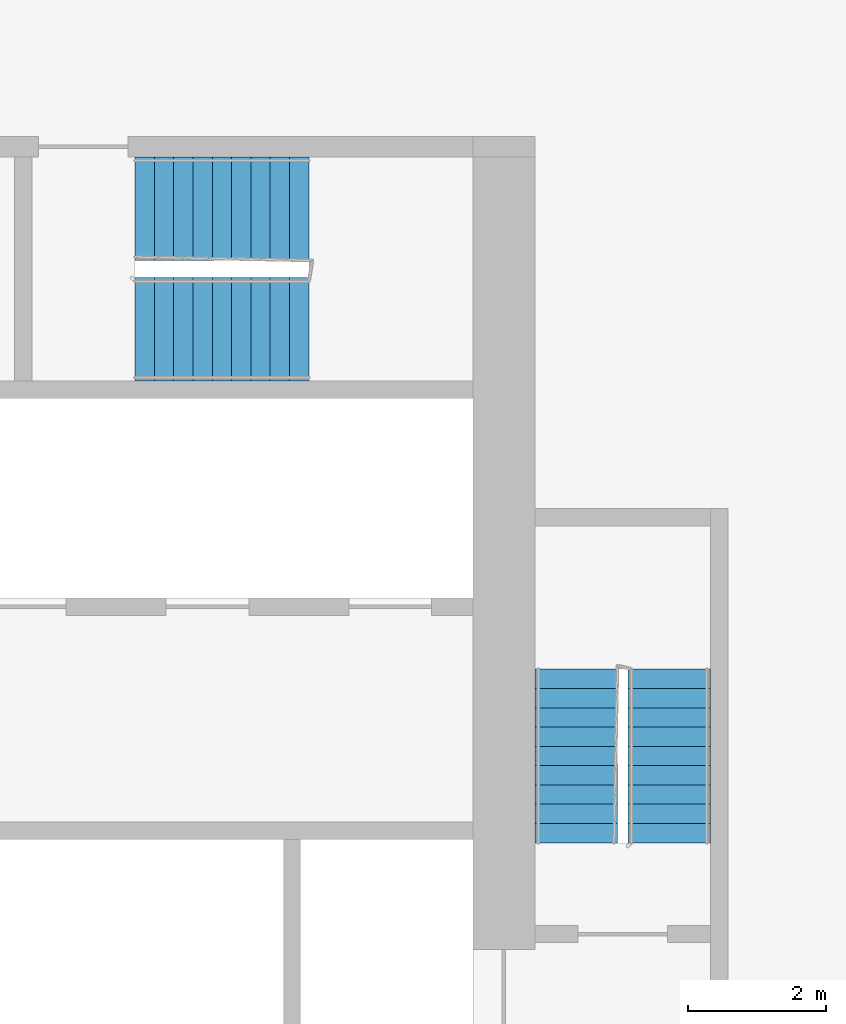
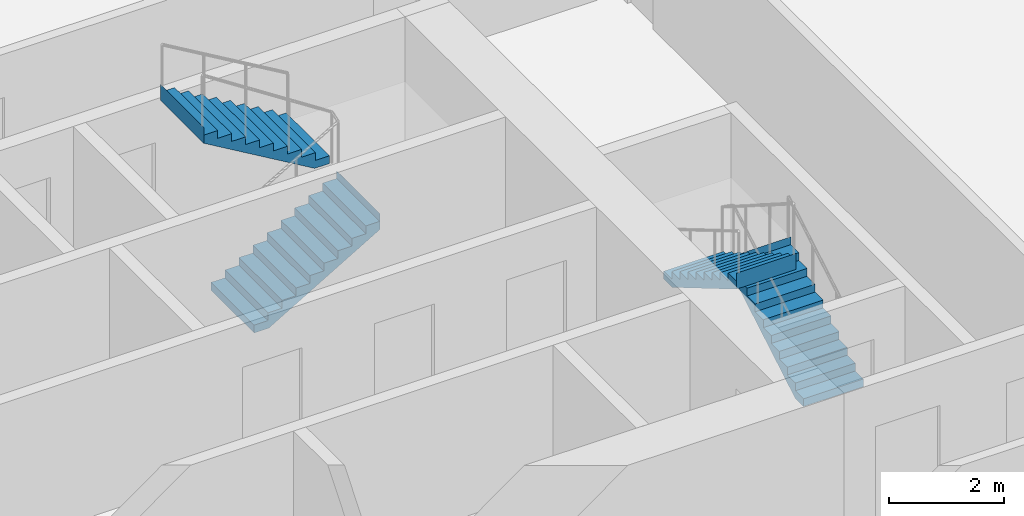
# One storey, part 11 of 12: 4 stair flights, 2 elements without a shape of their own.
"""IFC4 building model written with IfcOpenShell, lengths in metres."""

from ifc_helpers import new_model, si_unit, direction, frame, origin, place, context, subcontext, project, spatial, faceted_brep, material, type_object, element, aggregate, save


model = new_model("IFC4")

# Units and contexts
model_context = context("Model", 3, precision=1e-05, world=origin(), true_north=direction((0.0, 1.0)))
body_context = subcontext(model_context, "Body", "Model", "MODEL_VIEW")
ifc_project = project(units=[si_unit("LENGTHUNIT", "METRE"), si_unit("AREAUNIT", "SQUARE_METRE"), si_unit("VOLUMEUNIT", "CUBIC_METRE"), si_unit("PLANEANGLEUNIT", "RADIAN"), si_unit("MASSUNIT", "GRAM", prefix="KILO")], contexts=[model_context])

# Site, building, storey
site_placement = place(None, origin())
site = spatial("IfcSite", under=ifc_project, at=site_placement, CompositionType="ELEMENT")
building_placement = place(site_placement, origin())
building = spatial("IfcBuilding", under=site, at=building_placement, Name="Kajstack Hotel Tower", CompositionType="ELEMENT")
storey_placement = place(building_placement, frame((0.0, 0.0, 114.10009765625)))
storey = spatial("IfcBuildingStorey", under=building, at=storey_placement, Name="L24", CompositionType="ELEMENT", Elevation=114.10009765625)

# Stair, stair flights
ifc_material = material(Name="Concrete C40/50", Category="concrete")
stair_type_1 = type_object("IfcStairType", Name="Exit stair 1200", PredefinedType="HALF_TURN_STAIR", material=ifc_material)
stair_1_placement = place(storey_placement, origin())
stair_1 = element("IfcStair", 1, at=stair_1_placement, inside=storey, type_object=stair_type_1, Name="L24 stair E1", PredefinedType="HALF_TURN_STAIR")
stair_flight_type_1 = type_object("IfcStairFlightType", Name="Exit stair flight 1200", PredefinedType="STRAIGHT", material=ifc_material)
stair_flight_1_placement = place(storey_placement, frame((33.449951171875, 5.25, 0.0), z_axis=(0.0, 0.0, 1.0), x_axis=(0.0, 1.0, 0.0)))
stair_flight_1 = element("IfcStairFlight", 2, at=stair_flight_1_placement, type_object=stair_flight_type_1, Name="E1 flight 1", NumberOfRisers=10, NumberOfTreads=9, PredefinedType="STRAIGHT", RiserHeight=0.165, TreadLength=0.28, context=body_context, shape_type="Brep", body=[
    faceted_brep([(0.295654296875, -0.60009765625, 0.0), (2.5205078125, -0.60009765625, 1.31103515625), (2.5205078125, -0.60009765625, 1.64990234375), (2.52001953125, -0.60009765625, 1.64990234375), (2.52001953125, -0.60009765625, 1.485107421875), (2.239990234375, -0.60009765625, 1.485107421875), (2.239990234375, -0.60009765625, 1.320068359375), (1.9599609375, -0.60009765625, 1.320068359375), (1.9599609375, -0.60009765625, 1.155029296875), (1.679931640625, -0.60009765625, 1.155029296875), (1.679931640625, -0.60009765625, 0.989990234375), (1.39990234375, -0.60009765625, 0.989990234375), (1.39990234375, -0.60009765625, 0.824951171875), (1.1201171875, -0.60009765625, 0.824951171875), (1.1201171875, -0.60009765625, 0.659912109375), (0.840087890625, -0.60009765625, 0.659912109375), (0.840087890625, -0.60009765625, 0.4951171875), (0.56005859375, -0.60009765625, 0.4951171875), (0.56005859375, -0.60009765625, 0.330078125), (0.280029296875, -0.60009765625, 0.330078125), (0.280029296875, -0.60009765625, 0.1650390625), (-0.00048828125, -0.60009765625, 0.1650390625), (-0.00048828125, -0.60009765625, 0.0), (-0.00048828125, 0.60009765625, 0.0), (-0.00048828125, 0.60009765625, 0.1650390625), (0.280029296875, 0.60009765625, 0.1650390625), (0.280029296875, 0.60009765625, 0.330078125), (0.56005859375, 0.60009765625, 0.330078125), (0.56005859375, 0.60009765625, 0.4951171875), (0.840087890625, 0.60009765625, 0.4951171875), (0.840087890625, 0.60009765625, 0.659912109375), (1.1201171875, 0.60009765625, 0.659912109375), (1.1201171875, 0.60009765625, 0.824951171875), (1.39990234375, 0.60009765625, 0.824951171875), (1.39990234375, 0.60009765625, 0.989990234375), (1.679931640625, 0.60009765625, 0.989990234375), (1.679931640625, 0.60009765625, 1.155029296875), (1.9599609375, 0.60009765625, 1.155029296875), (1.9599609375, 0.60009765625, 1.320068359375), (2.239990234375, 0.60009765625, 1.320068359375), (2.239990234375, 0.60009765625, 1.485107421875), (2.52001953125, 0.60009765625, 1.485107421875), (2.52001953125, 0.60009765625, 1.64990234375), (2.5205078125, 0.60009765625, 1.64990234375), (2.5205078125, 0.60009765625, 1.31103515625), (0.295654296875, 0.60009765625, 0.0), (-0.00048828125, -0.300048828125, 0.1650390625), (-0.00048828125, 0.0, 0.1650390625), (-0.00048828125, 0.300048828125, 0.1650390625), (-0.00048828125, 0.300048828125, 0.0), (-0.00048828125, 0.0, 0.0), (-0.00048828125, -0.300048828125, 0.0), (0.280029296875, -0.300048828125, 0.1650390625), (0.280029296875, 0.0, 0.1650390625), (0.280029296875, 0.300048828125, 0.1650390625), (0.280029296875, -0.300048828125, 0.330078125), (0.280029296875, 0.0, 0.330078125), (0.280029296875, 0.300048828125, 0.330078125), (0.56005859375, -0.300048828125, 0.330078125), (0.56005859375, 0.0, 0.330078125), (0.56005859375, 0.300048828125, 0.330078125), (0.56005859375, -0.300048828125, 0.4951171875), (0.56005859375, 0.0, 0.4951171875), (0.56005859375, 0.300048828125, 0.4951171875), (0.840087890625, -0.300048828125, 0.4951171875), (0.840087890625, 0.0, 0.4951171875), (0.840087890625, 0.300048828125, 0.4951171875), (0.840087890625, -0.300048828125, 0.659912109375), (0.840087890625, 0.0, 0.659912109375), (0.840087890625, 0.300048828125, 0.659912109375), (1.1201171875, -0.300048828125, 0.659912109375), (1.1201171875, 0.0, 0.659912109375), (1.1201171875, 0.300048828125, 0.659912109375), (1.1201171875, -0.300048828125, 0.824951171875), (1.1201171875, 0.0, 0.824951171875), (1.1201171875, 0.300048828125, 0.824951171875), (1.39990234375, -0.300048828125, 0.824951171875), (1.39990234375, 0.0, 0.824951171875), (1.39990234375, 0.300048828125, 0.824951171875), (1.39990234375, -0.300048828125, 0.989990234375), (1.39990234375, 0.0, 0.989990234375), (1.39990234375, 0.300048828125, 0.989990234375), (1.679931640625, -0.300048828125, 0.989990234375), (1.679931640625, 0.0, 0.989990234375), (1.679931640625, 0.300048828125, 0.989990234375), (1.679931640625, -0.300048828125, 1.155029296875), (1.679931640625, 0.0, 1.155029296875), (1.679931640625, 0.300048828125, 1.155029296875), (1.9599609375, -0.300048828125, 1.155029296875), (1.9599609375, 0.0, 1.155029296875), (1.9599609375, 0.300048828125, 1.155029296875), (1.9599609375, -0.300048828125, 1.320068359375), (1.9599609375, 0.0, 1.320068359375), (1.9599609375, 0.300048828125, 1.320068359375), (2.239990234375, -0.300048828125, 1.320068359375), (2.239990234375, 0.0, 1.320068359375), (2.239990234375, 0.300048828125, 1.320068359375), (2.239990234375, -0.300048828125, 1.485107421875), (2.239990234375, 0.0, 1.485107421875), (2.239990234375, 0.300048828125, 1.485107421875), (2.52001953125, -0.300048828125, 1.485107421875), (2.52001953125, 0.0, 1.485107421875), (2.52001953125, 0.300048828125, 1.485107421875), (2.52001953125, -0.300048828125, 1.64990234375), (2.52001953125, 0.0, 1.64990234375), (2.52001953125, 0.300048828125, 1.64990234375), (2.5205078125, -0.300048828125, 1.64990234375), (2.5205078125, 0.0, 1.64990234375), (2.5205078125, 0.300048828125, 1.64990234375), (2.5205078125, -0.300048828125, 1.31103515625), (2.5205078125, 0.0, 1.31103515625), (2.5205078125, 0.300048828125, 1.31103515625), (0.295654296875, -0.300048828125, 0.0), (0.295654296875, 0.0, 0.0), (0.295654296875, 0.300048828125, 0.0)], [[[0, 1, 2, 3, 4, 5, 6, 7, 8, 9, 10, 11, 12, 13, 14, 15, 16, 17, 18, 19, 20, 21, 22]], [[23, 24, 25, 26, 27, 28, 29, 30, 31, 32, 33, 34, 35, 36, 37, 38, 39, 40, 41, 42, 43, 44, 45]], [[21, 46, 47, 48, 24, 23, 49, 50, 51, 22]], [[20, 52, 53, 54, 25, 24, 48, 47, 46, 21]], [[19, 55, 56, 57, 26, 25, 54, 53, 52, 20]], [[18, 58, 59, 60, 27, 26, 57, 56, 55, 19]], [[17, 61, 62, 63, 28, 27, 60, 59, 58, 18]], [[16, 64, 65, 66, 29, 28, 63, 62, 61, 17]], [[15, 67, 68, 69, 30, 29, 66, 65, 64, 16]], [[14, 70, 71, 72, 31, 30, 69, 68, 67, 15]], [[13, 73, 74, 75, 32, 31, 72, 71, 70, 14]], [[12, 76, 77, 78, 33, 32, 75, 74, 73, 13]], [[11, 79, 80, 81, 34, 33, 78, 77, 76, 12]], [[10, 82, 83, 84, 35, 34, 81, 80, 79, 11]], [[9, 85, 86, 87, 36, 35, 84, 83, 82, 10]], [[8, 88, 89, 90, 37, 36, 87, 86, 85, 9]], [[7, 91, 92, 93, 38, 37, 90, 89, 88, 8]], [[6, 94, 95, 96, 39, 38, 93, 92, 91, 7]], [[5, 97, 98, 99, 40, 39, 96, 95, 94, 6]], [[4, 100, 101, 102, 41, 40, 99, 98, 97, 5]], [[3, 103, 104, 105, 42, 41, 102, 101, 100, 4]], [[2, 106, 107, 108, 43, 42, 105, 104, 103, 3]], [[1, 109, 110, 111, 44, 43, 108, 107, 106, 2]], [[0, 112, 113, 114, 45, 44, 111, 110, 109, 1]], [[22, 51, 50, 49, 23, 45, 114, 113, 112, 0]]]),
])
stair_flight_2_placement = place(storey_placement, frame((32.10009765625, 7.77001953125, 1.64990234375), z_axis=(0.0, 0.0, 1.0), x_axis=(0.0, -1.0, 0.0)))
stair_flight_2 = element("IfcStairFlight", 3, at=stair_flight_2_placement, type_object=stair_flight_type_1, Name="E1 flight 2", NumberOfRisers=10, NumberOfTreads=9, PredefinedType="STRAIGHT", RiserHeight=0.165, TreadLength=0.28, context=body_context, shape_type="Brep", body=[
    faceted_brep([(0.295654296875, -0.60009765625, 0.0), (2.5205078125, -0.60009765625, 1.31103515625), (2.5205078125, -0.60009765625, 1.64990234375), (2.52001953125, -0.60009765625, 1.64990234375), (2.52001953125, -0.60009765625, 1.485107421875), (2.239990234375, -0.60009765625, 1.485107421875), (2.239990234375, -0.60009765625, 1.320068359375), (1.9599609375, -0.60009765625, 1.320068359375), (1.9599609375, -0.60009765625, 1.155029296875), (1.679931640625, -0.60009765625, 1.155029296875), (1.679931640625, -0.60009765625, 0.989990234375), (1.39990234375, -0.60009765625, 0.989990234375), (1.39990234375, -0.60009765625, 0.824951171875), (1.1201171875, -0.60009765625, 0.824951171875), (1.1201171875, -0.60009765625, 0.659912109375), (0.840087890625, -0.60009765625, 0.659912109375), (0.840087890625, -0.60009765625, 0.4951171875), (0.56005859375, -0.60009765625, 0.4951171875), (0.56005859375, -0.60009765625, 0.330078125), (0.280029296875, -0.60009765625, 0.330078125), (0.280029296875, -0.60009765625, 0.1650390625), (-0.00048828125, -0.60009765625, 0.1650390625), (-0.00048828125, -0.60009765625, 0.0), (-0.00048828125, 0.60009765625, 0.0), (-0.00048828125, 0.60009765625, 0.1650390625), (0.280029296875, 0.60009765625, 0.1650390625), (0.280029296875, 0.60009765625, 0.330078125), (0.56005859375, 0.60009765625, 0.330078125), (0.56005859375, 0.60009765625, 0.4951171875), (0.840087890625, 0.60009765625, 0.4951171875), (0.840087890625, 0.60009765625, 0.659912109375), (1.1201171875, 0.60009765625, 0.659912109375), (1.1201171875, 0.60009765625, 0.824951171875), (1.39990234375, 0.60009765625, 0.824951171875), (1.39990234375, 0.60009765625, 0.989990234375), (1.679931640625, 0.60009765625, 0.989990234375), (1.679931640625, 0.60009765625, 1.155029296875), (1.9599609375, 0.60009765625, 1.155029296875), (1.9599609375, 0.60009765625, 1.320068359375), (2.239990234375, 0.60009765625, 1.320068359375), (2.239990234375, 0.60009765625, 1.485107421875), (2.52001953125, 0.60009765625, 1.485107421875), (2.52001953125, 0.60009765625, 1.64990234375), (2.5205078125, 0.60009765625, 1.64990234375), (2.5205078125, 0.60009765625, 1.31103515625), (0.295654296875, 0.60009765625, 0.0), (-0.00048828125, -0.300048828125, 0.1650390625), (-0.00048828125, 0.0, 0.1650390625), (-0.00048828125, 0.300048828125, 0.1650390625), (-0.00048828125, 0.300048828125, 0.0), (-0.00048828125, 0.0, 0.0), (-0.00048828125, -0.300048828125, 0.0), (0.280029296875, -0.300048828125, 0.1650390625), (0.280029296875, 0.0, 0.1650390625), (0.280029296875, 0.300048828125, 0.1650390625), (0.280029296875, -0.300048828125, 0.330078125), (0.280029296875, 0.0, 0.330078125), (0.280029296875, 0.300048828125, 0.330078125), (0.56005859375, -0.300048828125, 0.330078125), (0.56005859375, 0.0, 0.330078125), (0.56005859375, 0.300048828125, 0.330078125), (0.56005859375, -0.300048828125, 0.4951171875), (0.56005859375, 0.0, 0.4951171875), (0.56005859375, 0.300048828125, 0.4951171875), (0.840087890625, -0.300048828125, 0.4951171875), (0.840087890625, 0.0, 0.4951171875), (0.840087890625, 0.300048828125, 0.4951171875), (0.840087890625, -0.300048828125, 0.659912109375), (0.840087890625, 0.0, 0.659912109375), (0.840087890625, 0.300048828125, 0.659912109375), (1.1201171875, -0.300048828125, 0.659912109375), (1.1201171875, 0.0, 0.659912109375), (1.1201171875, 0.300048828125, 0.659912109375), (1.1201171875, -0.300048828125, 0.824951171875), (1.1201171875, 0.0, 0.824951171875), (1.1201171875, 0.300048828125, 0.824951171875), (1.39990234375, -0.300048828125, 0.824951171875), (1.39990234375, 0.0, 0.824951171875), (1.39990234375, 0.300048828125, 0.824951171875), (1.39990234375, -0.300048828125, 0.989990234375), (1.39990234375, 0.0, 0.989990234375), (1.39990234375, 0.300048828125, 0.989990234375), (1.679931640625, -0.300048828125, 0.989990234375), (1.679931640625, 0.0, 0.989990234375), (1.679931640625, 0.300048828125, 0.989990234375), (1.679931640625, -0.300048828125, 1.155029296875), (1.679931640625, 0.0, 1.155029296875), (1.679931640625, 0.300048828125, 1.155029296875), (1.9599609375, -0.300048828125, 1.155029296875), (1.9599609375, 0.0, 1.155029296875), (1.9599609375, 0.300048828125, 1.155029296875), (1.9599609375, -0.300048828125, 1.320068359375), (1.9599609375, 0.0, 1.320068359375), (1.9599609375, 0.300048828125, 1.320068359375), (2.239990234375, -0.300048828125, 1.320068359375), (2.239990234375, 0.0, 1.320068359375), (2.239990234375, 0.300048828125, 1.320068359375), (2.239990234375, -0.300048828125, 1.485107421875), (2.239990234375, 0.0, 1.485107421875), (2.239990234375, 0.300048828125, 1.485107421875), (2.52001953125, -0.300048828125, 1.485107421875), (2.52001953125, 0.0, 1.485107421875), (2.52001953125, 0.300048828125, 1.485107421875), (2.52001953125, -0.300048828125, 1.64990234375), (2.52001953125, 0.0, 1.64990234375), (2.52001953125, 0.300048828125, 1.64990234375), (2.5205078125, -0.300048828125, 1.64990234375), (2.5205078125, 0.0, 1.64990234375), (2.5205078125, 0.300048828125, 1.64990234375), (2.5205078125, -0.300048828125, 1.31103515625), (2.5205078125, 0.0, 1.31103515625), (2.5205078125, 0.300048828125, 1.31103515625), (0.295654296875, -0.300048828125, 0.0), (0.295654296875, 0.0, 0.0), (0.295654296875, 0.300048828125, 0.0)], [[[0, 1, 2, 3, 4, 5, 6, 7, 8, 9, 10, 11, 12, 13, 14, 15, 16, 17, 18, 19, 20, 21, 22]], [[23, 24, 25, 26, 27, 28, 29, 30, 31, 32, 33, 34, 35, 36, 37, 38, 39, 40, 41, 42, 43, 44, 45]], [[21, 46, 47, 48, 24, 23, 49, 50, 51, 22]], [[20, 52, 53, 54, 25, 24, 48, 47, 46, 21]], [[19, 55, 56, 57, 26, 25, 54, 53, 52, 20]], [[18, 58, 59, 60, 27, 26, 57, 56, 55, 19]], [[17, 61, 62, 63, 28, 27, 60, 59, 58, 18]], [[16, 64, 65, 66, 29, 28, 63, 62, 61, 17]], [[15, 67, 68, 69, 30, 29, 66, 65, 64, 16]], [[14, 70, 71, 72, 31, 30, 69, 68, 67, 15]], [[13, 73, 74, 75, 32, 31, 72, 71, 70, 14]], [[12, 76, 77, 78, 33, 32, 75, 74, 73, 13]], [[11, 79, 80, 81, 34, 33, 78, 77, 76, 12]], [[10, 82, 83, 84, 35, 34, 81, 80, 79, 11]], [[9, 85, 86, 87, 36, 35, 84, 83, 82, 10]], [[8, 88, 89, 90, 37, 36, 87, 86, 85, 9]], [[7, 91, 92, 93, 38, 37, 90, 89, 88, 8]], [[6, 94, 95, 96, 39, 38, 93, 92, 91, 7]], [[5, 97, 98, 99, 40, 39, 96, 95, 94, 6]], [[4, 100, 101, 102, 41, 40, 99, 98, 97, 5]], [[3, 103, 104, 105, 42, 41, 102, 101, 100, 4]], [[2, 106, 107, 108, 43, 42, 105, 104, 103, 3]], [[1, 109, 110, 111, 44, 43, 108, 107, 106, 2]], [[0, 112, 113, 114, 45, 44, 111, 110, 109, 1]], [[22, 51, 50, 49, 23, 45, 114, 113, 112, 0]]]),
])
aggregate(stair_1, [stair_flight_1, stair_flight_2])

stair_type_2 = type_object("IfcStairType", Name="Exit stair 1500", PredefinedType="HALF_TURN_STAIR", material=ifc_material)
stair_2_placement = place(storey_placement, origin())
stair_2 = element("IfcStair", 4, at=stair_2_placement, inside=storey, type_object=stair_type_2, Name="L24 stair E3", PredefinedType="HALF_TURN_STAIR")
stair_flight_type_2 = type_object("IfcStairFlightType", Name="Exit stair flight 1500", PredefinedType="STRAIGHT", material=ifc_material)
stair_flight_3_placement = place(storey_placement, frame((25.699951171875, 12.699951171875, 0.0), z_axis=(0.0, 0.0, 1.0), x_axis=(1.0, 0.0, 0.0)))
stair_flight_3 = element("IfcStairFlight", 5, at=stair_flight_3_placement, type_object=stair_flight_type_2, Name="E3 flight 1", NumberOfRisers=10, NumberOfTreads=9, PredefinedType="STRAIGHT", RiserHeight=0.165, TreadLength=0.28, context=body_context, shape_type="Brep", body=[
    faceted_brep([(0.295654296875, -0.75, 0.0), (2.5205078125, -0.75, 1.31103515625), (2.5205078125, -0.75, 1.64990234375), (2.52001953125, -0.75, 1.64990234375), (2.52001953125, -0.75, 1.485107421875), (2.239990234375, -0.75, 1.485107421875), (2.239990234375, -0.75, 1.320068359375), (1.9599609375, -0.75, 1.320068359375), (1.9599609375, -0.75, 1.155029296875), (1.679931640625, -0.75, 1.155029296875), (1.679931640625, -0.75, 0.989990234375), (1.39990234375, -0.75, 0.989990234375), (1.39990234375, -0.75, 0.824951171875), (1.1201171875, -0.75, 0.824951171875), (1.1201171875, -0.75, 0.659912109375), (0.840087890625, -0.75, 0.659912109375), (0.840087890625, -0.75, 0.4951171875), (0.56005859375, -0.75, 0.4951171875), (0.56005859375, -0.75, 0.330078125), (0.280029296875, -0.75, 0.330078125), (0.280029296875, -0.75, 0.1650390625), (-0.00048828125, -0.75, 0.1650390625), (-0.00048828125, -0.75, 0.0), (-0.00048828125, 0.75, 0.0), (-0.00048828125, 0.75, 0.1650390625), (0.280029296875, 0.75, 0.1650390625), (0.280029296875, 0.75, 0.330078125), (0.56005859375, 0.75, 0.330078125), (0.56005859375, 0.75, 0.4951171875), (0.840087890625, 0.75, 0.4951171875), (0.840087890625, 0.75, 0.659912109375), (1.1201171875, 0.75, 0.659912109375), (1.1201171875, 0.75, 0.824951171875), (1.39990234375, 0.75, 0.824951171875), (1.39990234375, 0.75, 0.989990234375), (1.679931640625, 0.75, 0.989990234375), (1.679931640625, 0.75, 1.155029296875), (1.9599609375, 0.75, 1.155029296875), (1.9599609375, 0.75, 1.320068359375), (2.239990234375, 0.75, 1.320068359375), (2.239990234375, 0.75, 1.485107421875), (2.52001953125, 0.75, 1.485107421875), (2.52001953125, 0.75, 1.64990234375), (2.5205078125, 0.75, 1.64990234375), (2.5205078125, 0.75, 1.31103515625), (0.295654296875, 0.75, 0.0), (-0.00048828125, -0.375, 0.1650390625), (-0.00048828125, 0.0, 0.1650390625), (-0.00048828125, 0.375, 0.1650390625), (-0.00048828125, 0.375, 0.0), (-0.00048828125, 0.0, 0.0), (-0.00048828125, -0.375, 0.0), (0.280029296875, -0.375, 0.1650390625), (0.280029296875, 0.0, 0.1650390625), (0.280029296875, 0.375, 0.1650390625), (0.280029296875, -0.375, 0.330078125), (0.280029296875, 0.0, 0.330078125), (0.280029296875, 0.375, 0.330078125), (0.56005859375, -0.375, 0.330078125), (0.56005859375, 0.0, 0.330078125), (0.56005859375, 0.375, 0.330078125), (0.56005859375, -0.375, 0.4951171875), (0.56005859375, 0.0, 0.4951171875), (0.56005859375, 0.375, 0.4951171875), (0.840087890625, -0.375, 0.4951171875), (0.840087890625, 0.0, 0.4951171875), (0.840087890625, 0.375, 0.4951171875), (0.840087890625, -0.375, 0.659912109375), (0.840087890625, 0.0, 0.659912109375), (0.840087890625, 0.375, 0.659912109375), (1.1201171875, -0.375, 0.659912109375), (1.1201171875, 0.0, 0.659912109375), (1.1201171875, 0.375, 0.659912109375), (1.1201171875, -0.375, 0.824951171875), (1.1201171875, 0.0, 0.824951171875), (1.1201171875, 0.375, 0.824951171875), (1.39990234375, -0.375, 0.824951171875), (1.39990234375, 0.0, 0.824951171875), (1.39990234375, 0.375, 0.824951171875), (1.39990234375, -0.375, 0.989990234375), (1.39990234375, 0.0, 0.989990234375), (1.39990234375, 0.375, 0.989990234375), (1.679931640625, -0.375, 0.989990234375), (1.679931640625, 0.0, 0.989990234375), (1.679931640625, 0.375, 0.989990234375), (1.679931640625, -0.375, 1.155029296875), (1.679931640625, 0.0, 1.155029296875), (1.679931640625, 0.375, 1.155029296875), (1.9599609375, -0.375, 1.155029296875), (1.9599609375, 0.0, 1.155029296875), (1.9599609375, 0.375, 1.155029296875), (1.9599609375, -0.375, 1.320068359375), (1.9599609375, 0.0, 1.320068359375), (1.9599609375, 0.375, 1.320068359375), (2.239990234375, -0.375, 1.320068359375), (2.239990234375, 0.0, 1.320068359375), (2.239990234375, 0.375, 1.320068359375), (2.239990234375, -0.375, 1.485107421875), (2.239990234375, 0.0, 1.485107421875), (2.239990234375, 0.375, 1.485107421875), (2.52001953125, -0.375, 1.485107421875), (2.52001953125, 0.0, 1.485107421875), (2.52001953125, 0.375, 1.485107421875), (2.52001953125, -0.375, 1.64990234375), (2.52001953125, 0.0, 1.64990234375), (2.52001953125, 0.375, 1.64990234375), (2.5205078125, -0.375, 1.64990234375), (2.5205078125, 0.0, 1.64990234375), (2.5205078125, 0.375, 1.64990234375), (2.5205078125, -0.375, 1.31103515625), (2.5205078125, 0.0, 1.31103515625), (2.5205078125, 0.375, 1.31103515625), (0.295654296875, -0.375, 0.0), (0.295654296875, 0.0, 0.0), (0.295654296875, 0.375, 0.0)], [[[0, 1, 2, 3, 4, 5, 6, 7, 8, 9, 10, 11, 12, 13, 14, 15, 16, 17, 18, 19, 20, 21, 22]], [[23, 24, 25, 26, 27, 28, 29, 30, 31, 32, 33, 34, 35, 36, 37, 38, 39, 40, 41, 42, 43, 44, 45]], [[21, 46, 47, 48, 24, 23, 49, 50, 51, 22]], [[20, 52, 53, 54, 25, 24, 48, 47, 46, 21]], [[19, 55, 56, 57, 26, 25, 54, 53, 52, 20]], [[18, 58, 59, 60, 27, 26, 57, 56, 55, 19]], [[17, 61, 62, 63, 28, 27, 60, 59, 58, 18]], [[16, 64, 65, 66, 29, 28, 63, 62, 61, 17]], [[15, 67, 68, 69, 30, 29, 66, 65, 64, 16]], [[14, 70, 71, 72, 31, 30, 69, 68, 67, 15]], [[13, 73, 74, 75, 32, 31, 72, 71, 70, 14]], [[12, 76, 77, 78, 33, 32, 75, 74, 73, 13]], [[11, 79, 80, 81, 34, 33, 78, 77, 76, 12]], [[10, 82, 83, 84, 35, 34, 81, 80, 79, 11]], [[9, 85, 86, 87, 36, 35, 84, 83, 82, 10]], [[8, 88, 89, 90, 37, 36, 87, 86, 85, 9]], [[7, 91, 92, 93, 38, 37, 90, 89, 88, 8]], [[6, 94, 95, 96, 39, 38, 93, 92, 91, 7]], [[5, 97, 98, 99, 40, 39, 96, 95, 94, 6]], [[4, 100, 101, 102, 41, 40, 99, 98, 97, 5]], [[3, 103, 104, 105, 42, 41, 102, 101, 100, 4]], [[2, 106, 107, 108, 43, 42, 105, 104, 103, 3]], [[1, 109, 110, 111, 44, 43, 108, 107, 106, 2]], [[0, 112, 113, 114, 45, 44, 111, 110, 109, 1]], [[22, 51, 50, 49, 23, 45, 114, 113, 112, 0]]]),
])
stair_flight_4_placement = place(storey_placement, frame((28.219970703125, 14.449951171875, 1.64990234375), z_axis=(0.0, 0.0, 1.0), x_axis=(-1.0, 0.0, 0.0)))
stair_flight_4 = element("IfcStairFlight", 6, at=stair_flight_4_placement, type_object=stair_flight_type_2, Name="E3 flight 2", NumberOfRisers=10, NumberOfTreads=9, PredefinedType="STRAIGHT", RiserHeight=0.165, TreadLength=0.28, context=body_context, shape_type="Brep", body=[
    faceted_brep([(0.295654296875, -0.75, 0.0), (2.5205078125, -0.75, 1.31103515625), (2.5205078125, -0.75, 1.64990234375), (2.52001953125, -0.75, 1.64990234375), (2.52001953125, -0.75, 1.485107421875), (2.239990234375, -0.75, 1.485107421875), (2.239990234375, -0.75, 1.320068359375), (1.9599609375, -0.75, 1.320068359375), (1.9599609375, -0.75, 1.155029296875), (1.679931640625, -0.75, 1.155029296875), (1.679931640625, -0.75, 0.989990234375), (1.39990234375, -0.75, 0.989990234375), (1.39990234375, -0.75, 0.824951171875), (1.1201171875, -0.75, 0.824951171875), (1.1201171875, -0.75, 0.659912109375), (0.840087890625, -0.75, 0.659912109375), (0.840087890625, -0.75, 0.4951171875), (0.56005859375, -0.75, 0.4951171875), (0.56005859375, -0.75, 0.330078125), (0.280029296875, -0.75, 0.330078125), (0.280029296875, -0.75, 0.1650390625), (-0.00048828125, -0.75, 0.1650390625), (-0.00048828125, -0.75, 0.0), (-0.00048828125, 0.75, 0.0), (-0.00048828125, 0.75, 0.1650390625), (0.280029296875, 0.75, 0.1650390625), (0.280029296875, 0.75, 0.330078125), (0.56005859375, 0.75, 0.330078125), (0.56005859375, 0.75, 0.4951171875), (0.840087890625, 0.75, 0.4951171875), (0.840087890625, 0.75, 0.659912109375), (1.1201171875, 0.75, 0.659912109375), (1.1201171875, 0.75, 0.824951171875), (1.39990234375, 0.75, 0.824951171875), (1.39990234375, 0.75, 0.989990234375), (1.679931640625, 0.75, 0.989990234375), (1.679931640625, 0.75, 1.155029296875), (1.9599609375, 0.75, 1.155029296875), (1.9599609375, 0.75, 1.320068359375), (2.239990234375, 0.75, 1.320068359375), (2.239990234375, 0.75, 1.485107421875), (2.52001953125, 0.75, 1.485107421875), (2.52001953125, 0.75, 1.64990234375), (2.5205078125, 0.75, 1.64990234375), (2.5205078125, 0.75, 1.31103515625), (0.295654296875, 0.75, 0.0), (-0.00048828125, -0.375, 0.1650390625), (-0.00048828125, 0.0, 0.1650390625), (-0.00048828125, 0.375, 0.1650390625), (-0.00048828125, 0.375, 0.0), (-0.00048828125, 0.0, 0.0), (-0.00048828125, -0.375, 0.0), (0.280029296875, -0.375, 0.1650390625), (0.280029296875, 0.0, 0.1650390625), (0.280029296875, 0.375, 0.1650390625), (0.280029296875, -0.375, 0.330078125), (0.280029296875, 0.0, 0.330078125), (0.280029296875, 0.375, 0.330078125), (0.56005859375, -0.375, 0.330078125), (0.56005859375, 0.0, 0.330078125), (0.56005859375, 0.375, 0.330078125), (0.56005859375, -0.375, 0.4951171875), (0.56005859375, 0.0, 0.4951171875), (0.56005859375, 0.375, 0.4951171875), (0.840087890625, -0.375, 0.4951171875), (0.840087890625, 0.0, 0.4951171875), (0.840087890625, 0.375, 0.4951171875), (0.840087890625, -0.375, 0.659912109375), (0.840087890625, 0.0, 0.659912109375), (0.840087890625, 0.375, 0.659912109375), (1.1201171875, -0.375, 0.659912109375), (1.1201171875, 0.0, 0.659912109375), (1.1201171875, 0.375, 0.659912109375), (1.1201171875, -0.375, 0.824951171875), (1.1201171875, 0.0, 0.824951171875), (1.1201171875, 0.375, 0.824951171875), (1.39990234375, -0.375, 0.824951171875), (1.39990234375, 0.0, 0.824951171875), (1.39990234375, 0.375, 0.824951171875), (1.39990234375, -0.375, 0.989990234375), (1.39990234375, 0.0, 0.989990234375), (1.39990234375, 0.375, 0.989990234375), (1.679931640625, -0.375, 0.989990234375), (1.679931640625, 0.0, 0.989990234375), (1.679931640625, 0.375, 0.989990234375), (1.679931640625, -0.375, 1.155029296875), (1.679931640625, 0.0, 1.155029296875), (1.679931640625, 0.375, 1.155029296875), (1.9599609375, -0.375, 1.155029296875), (1.9599609375, 0.0, 1.155029296875), (1.9599609375, 0.375, 1.155029296875), (1.9599609375, -0.375, 1.320068359375), (1.9599609375, 0.0, 1.320068359375), (1.9599609375, 0.375, 1.320068359375), (2.239990234375, -0.375, 1.320068359375), (2.239990234375, 0.0, 1.320068359375), (2.239990234375, 0.375, 1.320068359375), (2.239990234375, -0.375, 1.485107421875), (2.239990234375, 0.0, 1.485107421875), (2.239990234375, 0.375, 1.485107421875), (2.52001953125, -0.375, 1.485107421875), (2.52001953125, 0.0, 1.485107421875), (2.52001953125, 0.375, 1.485107421875), (2.52001953125, -0.375, 1.64990234375), (2.52001953125, 0.0, 1.64990234375), (2.52001953125, 0.375, 1.64990234375), (2.5205078125, -0.375, 1.64990234375), (2.5205078125, 0.0, 1.64990234375), (2.5205078125, 0.375, 1.64990234375), (2.5205078125, -0.375, 1.31103515625), (2.5205078125, 0.0, 1.31103515625), (2.5205078125, 0.375, 1.31103515625), (0.295654296875, -0.375, 0.0), (0.295654296875, 0.0, 0.0), (0.295654296875, 0.375, 0.0)], [[[0, 1, 2, 3, 4, 5, 6, 7, 8, 9, 10, 11, 12, 13, 14, 15, 16, 17, 18, 19, 20, 21, 22]], [[23, 24, 25, 26, 27, 28, 29, 30, 31, 32, 33, 34, 35, 36, 37, 38, 39, 40, 41, 42, 43, 44, 45]], [[21, 46, 47, 48, 24, 23, 49, 50, 51, 22]], [[20, 52, 53, 54, 25, 24, 48, 47, 46, 21]], [[19, 55, 56, 57, 26, 25, 54, 53, 52, 20]], [[18, 58, 59, 60, 27, 26, 57, 56, 55, 19]], [[17, 61, 62, 63, 28, 27, 60, 59, 58, 18]], [[16, 64, 65, 66, 29, 28, 63, 62, 61, 17]], [[15, 67, 68, 69, 30, 29, 66, 65, 64, 16]], [[14, 70, 71, 72, 31, 30, 69, 68, 67, 15]], [[13, 73, 74, 75, 32, 31, 72, 71, 70, 14]], [[12, 76, 77, 78, 33, 32, 75, 74, 73, 13]], [[11, 79, 80, 81, 34, 33, 78, 77, 76, 12]], [[10, 82, 83, 84, 35, 34, 81, 80, 79, 11]], [[9, 85, 86, 87, 36, 35, 84, 83, 82, 10]], [[8, 88, 89, 90, 37, 36, 87, 86, 85, 9]], [[7, 91, 92, 93, 38, 37, 90, 89, 88, 8]], [[6, 94, 95, 96, 39, 38, 93, 92, 91, 7]], [[5, 97, 98, 99, 40, 39, 96, 95, 94, 6]], [[4, 100, 101, 102, 41, 40, 99, 98, 97, 5]], [[3, 103, 104, 105, 42, 41, 102, 101, 100, 4]], [[2, 106, 107, 108, 43, 42, 105, 104, 103, 3]], [[1, 109, 110, 111, 44, 43, 108, 107, 106, 2]], [[0, 112, 113, 114, 45, 44, 111, 110, 109, 1]], [[22, 51, 50, 49, 23, 45, 114, 113, 112, 0]]]),
])
aggregate(stair_2, [stair_flight_3, stair_flight_4])

save(model, "model.ifc")
